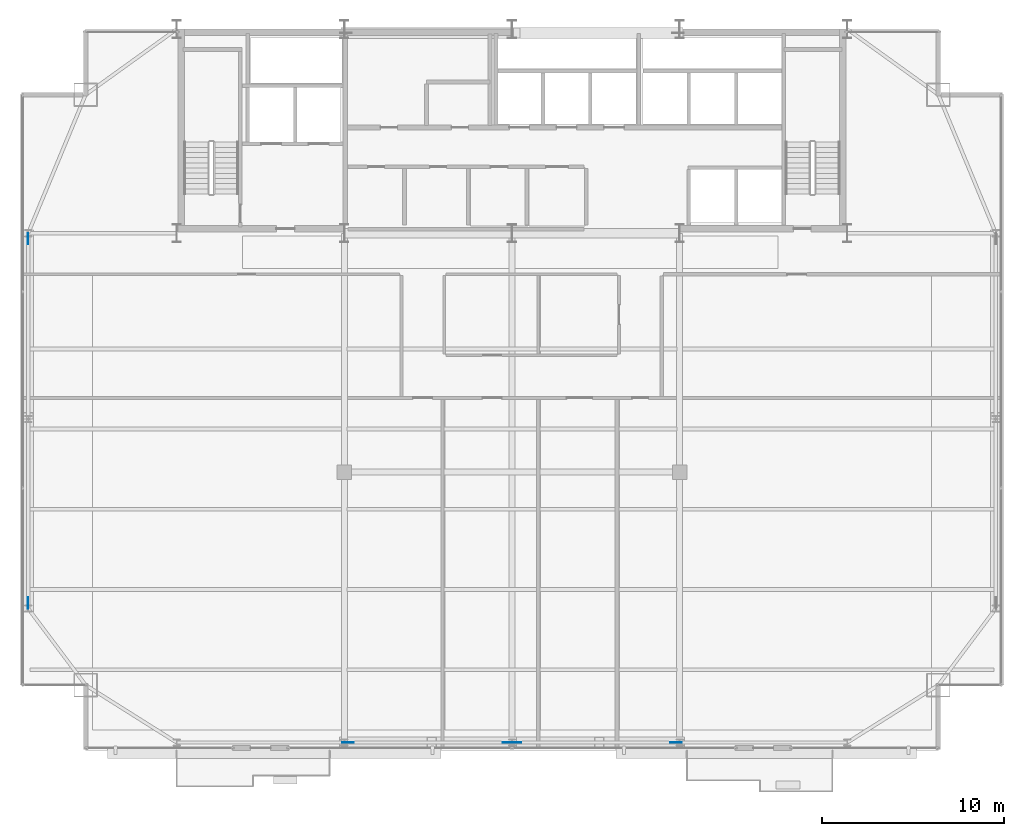
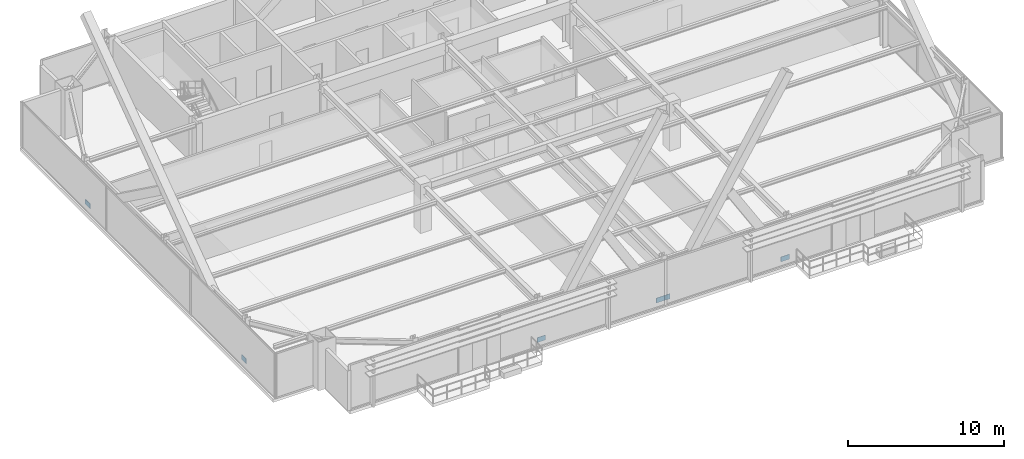
# One storey, part 28 of 34: 6 plates.
"""IFC4 building model written with IfcOpenShell, lengths in metres."""

from ifc_helpers import new_model, si_unit, direction, frame, origin, origin_2d, place, context, subcontext, project, spatial, rectangle, extrude, source, transform, mapped, material, layer, layer_set, type_object, type_shapes, element, save


model = new_model("IFC4")

# Units and contexts
model_context = context("Model", 3, precision=1e-05, world=origin(), true_north=direction((0.0, 1.0)))
body_context = subcontext(model_context, "Body", "Model", "MODEL_VIEW")
ifc_project = project(units=[si_unit("LENGTHUNIT", "METRE"), si_unit("AREAUNIT", "SQUARE_METRE"), si_unit("VOLUMEUNIT", "CUBIC_METRE"), si_unit("PLANEANGLEUNIT", "RADIAN"), si_unit("MASSUNIT", "GRAM", prefix="KILO")], contexts=[model_context])

# Site, building, storey
site_placement = place(None, origin())
site = spatial("IfcSite", under=ifc_project, at=site_placement, CompositionType="ELEMENT")
building_placement = place(site_placement, origin())
building = spatial("IfcBuilding", under=site, at=building_placement, Name="Varnel Quay Broadcast Tower", CompositionType="ELEMENT")
storey_placement = place(building_placement, frame((0.0, 0.0, 161.0)))
storey = spatial("IfcBuildingStorey", under=building, at=storey_placement, Name="L39", CompositionType="ELEMENT", Elevation=161.0)

# Plates
ifc_material = material(Name="Structural Steel CSA G40.21 350WT", Category="steel")
ifc_layer = layer(ifc_material, 0.031982421875, Name="Structural Steel CSA G40.21 350WT")
ifc_layer_set = layer_set([ifc_layer], Name="Structural Steel CSA G40.21 350WT")
plate_type = type_object("IfcPlateType", Name="Plate_EndCap", PredefinedType="USERDEFINED", material=ifc_layer_set)
shared_shape = source(origin(), body_context, "Body", "SweptSolid", [
    extrude(rectangle(XDim=0.6201171875, YDim=0.031982421875, at=origin_2d()), origin(), (0.0, 0.0, 1.0), 0.3798828125),
])
type_shapes(plate_type, [shared_shape])
for number, where, z_axis, x_axis, name in (
    (1, (24.99951171875, 7.64990234375, 0.153564453125), (0.0, 0.0, 1.0), (1.0, 0.0, 0.0), "Zone 3 Mega-Brace S-C1T2 Diag A End Connection Plate P0"),
    (2, (33.800537109375, 7.64990234375, 0.153564453125), (0.0, 0.0, 1.0), (1.0, 0.0, 0.0), "Zone 3 Mega-Brace S-C1T2 Diag B1 End Connection Plate P0"),
    (3, (34.199462890625, 7.64990234375, 0.153564453125), (0.0, 0.0, 1.0), (1.0, 0.0, 0.0), "Zone 3 Mega-Brace S-C2T2 Diag A End Connection Plate P0"),
    (4, (43.00048828125, 7.64990234375, 0.153564453125), (0.0, 0.0, 1.0), (1.0, 0.0, 0.0), "Zone 3 Mega-Brace S-C2T2 Diag B1 End Connection Plate P0"),
    (5, (7.449951171875, 15.307861328125, 0.052978515625), (0.0, 0.0, 1.0), (0.0, 1.0, 0.0), "Zone 3 Mega-Brace W-FT2 Diag A End Connection Plate P0"),
    (6, (7.449951171875, 35.292236328125, 0.052978515625), (0.0, 0.0, 1.0), (0.0, 1.0, 0.0), "Zone 3 Mega-Brace W-FT2 Diag B1 End Connection Plate P0"),
):
    element("IfcPlate", number, at=place(storey_placement, frame(where, z_axis=z_axis, x_axis=x_axis)), inside=storey, type_object=plate_type, Name=name, ObjectType="CAP_PLATE", PredefinedType="USERDEFINED", context=body_context, shape_type="MappedRepresentation", body=[
        mapped(shared_shape, transform((0.0, 0.0, 0.0), x_axis=(1.0, 0.0, 0.0), y_axis=(0.0, 1.0, 0.0), z_axis=(0.0, 0.0, 1.0), scale=1.0)),
    ])

save(model, "model.ifc")
